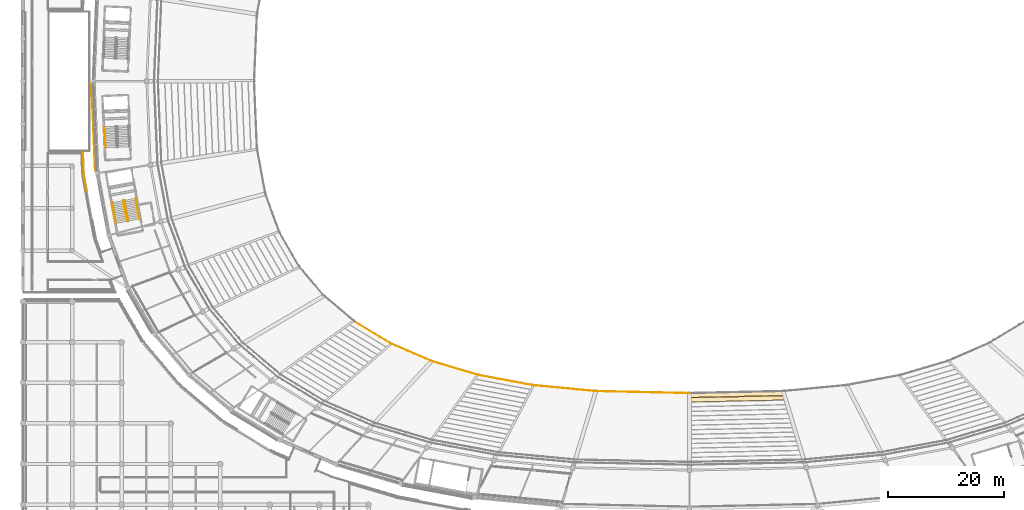
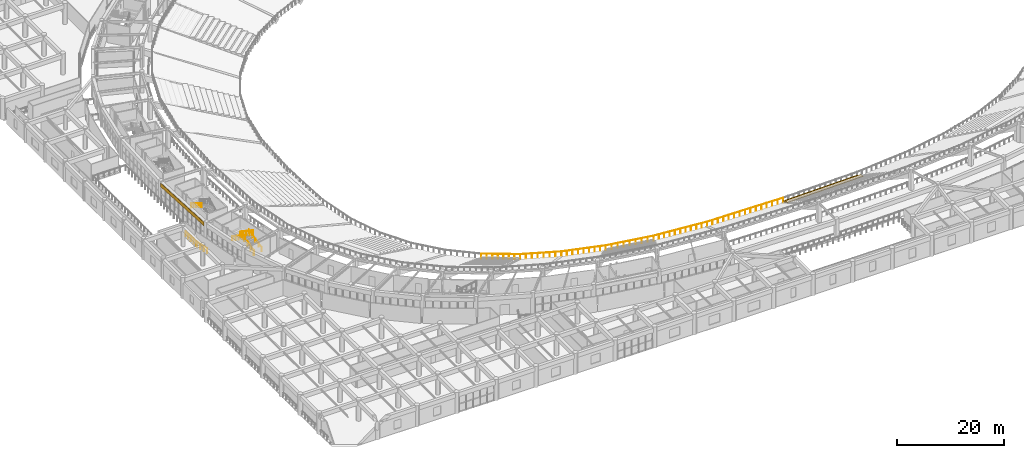
# One storey, part 117 of 137: 7 railings, 3 coverings.
"""IFC4 building model written with IfcOpenShell, lengths in metres."""

from ifc_helpers import new_model, si_unit, direction, frame, origin, origin_2d, place, context, subcontext, project, spatial, polyline, rectangle, circle, outline, extrude, material, layer, layer_set, type_object, element, save


model = new_model("IFC4")

# Units and contexts
model_context = context("Model", 3, precision=1e-05, world=origin(), true_north=direction((0.0, 1.0)))
body_context = subcontext(model_context, "Body", "Model", "MODEL_VIEW")
ifc_project = project(units=[si_unit("LENGTHUNIT", "METRE"), si_unit("AREAUNIT", "SQUARE_METRE"), si_unit("VOLUMEUNIT", "CUBIC_METRE"), si_unit("PLANEANGLEUNIT", "RADIAN"), si_unit("MASSUNIT", "GRAM", prefix="KILO")], contexts=[model_context])

# Site, building, storey
site_placement = place(None, origin())
site = spatial("IfcSite", under=ifc_project, at=site_placement, CompositionType="ELEMENT")
building_placement = place(site_placement, origin())
building = spatial("IfcBuilding", under=site, at=building_placement, Name="Mphavela Belvedere Stadium", CompositionType="ELEMENT")
storey_placement = place(building_placement, frame((0.0, 0.0, 19.199951171875)))
storey = spatial("IfcBuildingStorey", under=building, at=storey_placement, Name="L04", CompositionType="ELEMENT", Elevation=19.199951171875)

# Coverings
ifc_material_1 = material(Name="Carved classical limestone entablature frieze cladding", Category="masonry")
ifc_layer_1 = layer(ifc_material_1, 0.06005859375)
ifc_layer_set_1 = layer_set([ifc_layer_1], Name="Carved classical limestone entablature frieze cladding")
covering_type_1 = type_object("IfcCoveringType", Name="COV-FRIEZE-CLAD", PredefinedType="CLADDING", material=ifc_layer_set_1)
covering_1_placement = place(storey_placement, frame((12.192626953125, 79.064208984375, 3.594970703125), z_axis=(0.0, 0.0, 1.0), x_axis=(0.041875653729, -0.999122830099, 0.0)))
element("IfcCovering", 1, at=covering_1_placement, inside=storey, type_object=covering_type_1, Name="Classical entablature frieze cladding L04-25", PredefinedType="CLADDING", context=body_context, shape_type="SweptSolid", body=[
    extrude(rectangle(XDim=15.06298828125, YDim=0.06005859375, at=origin_2d()), origin(), (0.0, 0.0, 1.0), 0.85009765625),
])
ifc_material_2 = material(Name="Precast seating row terrazzo finish", Category="concrete")
ifc_layer_2 = layer(ifc_material_2, 0.1201171875)
ifc_layer_set_2 = layer_set([ifc_layer_2], Name="Precast seating row terrazzo finish")
covering_type_2 = type_object("IfcCoveringType", Name="COV-SEAT-ROW-U", PredefinedType="FLOORING", material=ifc_layer_set_2)
covering_2_placement = place(storey_placement, frame((0.0, 0.0, -3.4033203125)))
element("IfcCovering", 2, at=covering_2_placement, inside=storey, type_object=covering_type_2, Name="Upper stand seating row bench B37-R01", PredefinedType="FLOORING", context=body_context, shape_type="SweptSolid", body=[
    extrude(outline(polyline([(115.0, 33.20703125), (131.14794921875, 33.5546875), (131.36669921875, 32.83056640625), (115.0, 32.47802734375), (115.0, 33.20703125)])), origin(), (0.0, 0.0, 1.0), 0.1201171875),
])
covering_3_placement = place(storey_placement, frame((0.0, 0.0, -2.936767578125)))
element("IfcCovering", 3, at=covering_3_placement, inside=storey, type_object=covering_type_2, Name="Upper stand seating row bench B37-R02", PredefinedType="FLOORING", context=body_context, shape_type="SweptSolid", body=[
    extrude(outline(polyline([(115.0, 32.414794921875), (131.3857421875, 32.767578125), (131.6044921875, 32.043212890625), (115.0, 31.685791015625), (115.0, 32.414794921875)])), origin(), (0.0, 0.0, 1.0), 0.1201171875),
])

# Railings
ifc_material_3 = material(Name="Bronze and laminated glass stadium balustrade", Category="glass")
railing_type_1 = type_object("IfcRailingType", Name="RAL-BALUSTRADE-1120", PredefinedType="BALUSTRADE", material=ifc_material_3)
railing_1_placement = place(storey_placement, frame((57.201416015625, 45.587646484375, -3.75)))
element("IfcRailing", 4, at=railing_1_placement, inside=storey, type_object=railing_type_1, Name="Bowl safety balustrade t2_front S6", PredefinedType="BALUSTRADE", context=body_context, shape_type="SweptSolid", body=[
    extrude(circle(Radius=0.02392578125, at=origin_2d()), frame((0.0, 0.0, 1.09619140625), z_axis=(0.854327633962, -0.519734830321, 0.0), x_axis=(0.519734830321, 0.854327633962, 0.0)), (0.0, 0.0, 1.0), 7.230224609375),
    extrude(circle(Radius=0.02392578125, at=origin_2d()), frame((6.177001953125, -3.7578125, 1.09619140625), z_axis=(0.917506303716, -0.397721237353, 0.0), x_axis=(0.397721237353, 0.917506303716, 0.0)), (0.0, 0.0, 1.0), 7.766357421875),
    extrude(circle(Radius=0.02392578125, at=origin_2d()), frame((13.302734375, -6.8466796875, 1.09619140625), z_axis=(0.958654841276, -0.284571423896, 0.0), x_axis=(0.284571423896, 0.958654841276, 0.0)), (0.0, 0.0, 1.0), 8.482177734375),
    extrude(circle(Radius=0.02392578125, at=origin_2d()), frame((21.434326171875, -9.260498046875, 1.09619140625), z_axis=(0.983094824356, -0.18309714996, 0.0), x_axis=(0.18309714996, 0.983094824356, 0.0)), (0.0, 0.0, 1.0), 9.453857421875),
    extrude(circle(Radius=0.02392578125, at=origin_2d()), frame((30.728271484375, -10.991455078125, 1.09619140625), z_axis=(0.995484465186, -0.094924599412, 0.0), x_axis=(0.094924599412, 0.995484465186, 0.0)), (0.0, 0.0, 1.0), 10.971923828125),
    extrude(circle(Radius=0.02392578125, at=origin_2d()), frame((41.650634765625, -12.032958984375, 1.09619140625), z_axis=(0.999768322215, -0.021524448774, 0.0), x_axis=(0.021524448774, 0.999768322215, 0.0)), (0.0, 0.0, 1.0), 16.151611328125),
    extrude(circle(Radius=0.02099609375, at=origin_2d()), origin(), (0.0, 0.0, 1.0), 1.072021484375),
    extrude(circle(Radius=0.02099609375, at=origin_2d()), frame((0.88232421875, -0.536865234375, 0.0)), (0.0, 0.0, 1.0), 1.072021484375),
    extrude(circle(Radius=0.02099609375, at=origin_2d()), frame((1.764892578125, -1.07373046875, 0.0)), (0.0, 0.0, 1.0), 1.072021484375),
    extrude(circle(Radius=0.02099609375, at=origin_2d()), frame((2.647216796875, -1.610595703125, 0.0)), (0.0, 0.0, 1.0), 1.072021484375),
    extrude(circle(Radius=0.02099609375, at=origin_2d()), frame((3.52978515625, -2.147216796875, 0.0)), (0.0, 0.0, 1.0), 1.072021484375),
    extrude(circle(Radius=0.02099609375, at=origin_2d()), frame((4.412109375, -2.68408203125, 0.0)), (0.0, 0.0, 1.0), 1.072021484375),
    extrude(circle(Radius=0.02099609375, at=origin_2d()), frame((5.294677734375, -3.220947265625, 0.0)), (0.0, 0.0, 1.0), 1.072021484375),
    extrude(circle(Radius=0.02099609375, at=origin_2d()), frame((6.177001953125, -3.7578125, 0.0)), (0.0, 0.0, 1.0), 1.072021484375),
    extrude(circle(Radius=0.02099609375, at=origin_2d()), frame((7.195068359375, -4.198974609375, 0.0)), (0.0, 0.0, 1.0), 1.072021484375),
    extrude(circle(Radius=0.02099609375, at=origin_2d()), frame((8.212890625, -4.640380859375, 0.0)), (0.0, 0.0, 1.0), 1.072021484375),
    extrude(circle(Radius=0.02099609375, at=origin_2d()), frame((9.23095703125, -5.08154296875, 0.0)), (0.0, 0.0, 1.0), 1.072021484375),
    extrude(circle(Radius=0.02099609375, at=origin_2d()), frame((10.248779296875, -5.52294921875, 0.0)), (0.0, 0.0, 1.0), 1.072021484375),
    extrude(circle(Radius=0.02099609375, at=origin_2d()), frame((11.266845703125, -5.964111328125, 0.0)), (0.0, 0.0, 1.0), 1.072021484375),
    extrude(circle(Radius=0.02099609375, at=origin_2d()), frame((12.28466796875, -6.405517578125, 0.0)), (0.0, 0.0, 1.0), 1.072021484375),
    extrude(circle(Radius=0.02099609375, at=origin_2d()), frame((13.302734375, -6.8466796875, 0.0)), (0.0, 0.0, 1.0), 1.072021484375),
    extrude(circle(Radius=0.02099609375, at=origin_2d()), frame((14.319091796875, -7.1484375, 0.0)), (0.0, 0.0, 1.0), 1.072021484375),
    extrude(circle(Radius=0.02099609375, at=origin_2d()), frame((15.335693359375, -7.4501953125, 0.0)), (0.0, 0.0, 1.0), 1.072021484375),
    extrude(circle(Radius=0.02099609375, at=origin_2d()), frame((16.35205078125, -7.751953125, 0.0)), (0.0, 0.0, 1.0), 1.072021484375),
    extrude(circle(Radius=0.02099609375, at=origin_2d()), frame((17.36865234375, -8.0537109375, 0.0)), (0.0, 0.0, 1.0), 1.072021484375),
    extrude(circle(Radius=0.02099609375, at=origin_2d()), frame((18.385009765625, -8.355224609375, 0.0)), (0.0, 0.0, 1.0), 1.072021484375),
    extrude(circle(Radius=0.02099609375, at=origin_2d()), frame((19.4013671875, -8.656982421875, 0.0)), (0.0, 0.0, 1.0), 1.072021484375),
    extrude(circle(Radius=0.02099609375, at=origin_2d()), frame((20.41796875, -8.958740234375, 0.0)), (0.0, 0.0, 1.0), 1.072021484375),
    extrude(circle(Radius=0.02099609375, at=origin_2d()), frame((21.434326171875, -9.260498046875, 0.0)), (0.0, 0.0, 1.0), 1.072021484375),
    extrude(circle(Radius=0.02099609375, at=origin_2d()), frame((22.59619140625, -9.476806640625, 0.0)), (0.0, 0.0, 1.0), 1.072021484375),
    extrude(circle(Radius=0.02099609375, at=origin_2d()), frame((23.7578125, -9.693359375, 0.0)), (0.0, 0.0, 1.0), 1.072021484375),
    extrude(circle(Radius=0.02099609375, at=origin_2d()), frame((24.91943359375, -9.90966796875, 0.0)), (0.0, 0.0, 1.0), 1.072021484375),
    extrude(circle(Radius=0.02099609375, at=origin_2d()), frame((26.081298828125, -10.1259765625, 0.0)), (0.0, 0.0, 1.0), 1.072021484375),
    extrude(circle(Radius=0.02099609375, at=origin_2d()), frame((27.2431640625, -10.34228515625, 0.0)), (0.0, 0.0, 1.0), 1.072021484375),
    extrude(circle(Radius=0.02099609375, at=origin_2d()), frame((28.40478515625, -10.55859375, 0.0)), (0.0, 0.0, 1.0), 1.072021484375),
    extrude(circle(Radius=0.02099609375, at=origin_2d()), frame((29.56640625, -10.775146484375, 0.0)), (0.0, 0.0, 1.0), 1.072021484375),
    extrude(circle(Radius=0.02099609375, at=origin_2d()), frame((30.728271484375, -10.991455078125, 0.0)), (0.0, 0.0, 1.0), 1.072021484375),
    extrude(circle(Radius=0.02099609375, at=origin_2d()), frame((31.820556640625, -11.095703125, 0.0)), (0.0, 0.0, 1.0), 1.072021484375),
    extrude(circle(Radius=0.02099609375, at=origin_2d()), frame((32.912841796875, -11.19970703125, 0.0)), (0.0, 0.0, 1.0), 1.072021484375),
    extrude(circle(Radius=0.02099609375, at=origin_2d()), frame((34.0048828125, -11.303955078125, 0.0)), (0.0, 0.0, 1.0), 1.072021484375),
    extrude(circle(Radius=0.02099609375, at=origin_2d()), frame((35.09716796875, -11.407958984375, 0.0)), (0.0, 0.0, 1.0), 1.072021484375),
    extrude(circle(Radius=0.02099609375, at=origin_2d()), frame((36.189453125, -11.51220703125, 0.0)), (0.0, 0.0, 1.0), 1.072021484375),
    extrude(circle(Radius=0.02099609375, at=origin_2d()), frame((37.28173828125, -11.616455078125, 0.0)), (0.0, 0.0, 1.0), 1.072021484375),
    extrude(circle(Radius=0.02099609375, at=origin_2d()), frame((38.3740234375, -11.720458984375, 0.0)), (0.0, 0.0, 1.0), 1.072021484375),
    extrude(circle(Radius=0.02099609375, at=origin_2d()), frame((39.466064453125, -11.82470703125, 0.0)), (0.0, 0.0, 1.0), 1.072021484375),
    extrude(circle(Radius=0.02099609375, at=origin_2d()), frame((40.558349609375, -11.9287109375, 0.0)), (0.0, 0.0, 1.0), 1.072021484375),
    extrude(circle(Radius=0.02099609375, at=origin_2d()), frame((41.650634765625, -12.032958984375, 0.0)), (0.0, 0.0, 1.0), 1.072021484375),
    extrude(circle(Radius=0.02099609375, at=origin_2d()), frame((42.803955078125, -12.057861328125, 0.0)), (0.0, 0.0, 1.0), 1.072021484375),
    extrude(circle(Radius=0.02099609375, at=origin_2d()), frame((43.95751953125, -12.08251953125, 0.0)), (0.0, 0.0, 1.0), 1.072021484375),
    extrude(circle(Radius=0.02099609375, at=origin_2d()), frame((45.11083984375, -12.107421875, 0.0)), (0.0, 0.0, 1.0), 1.072021484375),
    extrude(circle(Radius=0.02099609375, at=origin_2d()), frame((46.264404296875, -12.13232421875, 0.0)), (0.0, 0.0, 1.0), 1.072021484375),
    extrude(circle(Radius=0.02099609375, at=origin_2d()), frame((47.417724609375, -12.1572265625, 0.0)), (0.0, 0.0, 1.0), 1.072021484375),
    extrude(circle(Radius=0.02099609375, at=origin_2d()), frame((48.5712890625, -12.181884765625, 0.0)), (0.0, 0.0, 1.0), 1.072021484375),
    extrude(circle(Radius=0.02099609375, at=origin_2d()), frame((49.724609375, -12.206787109375, 0.0)), (0.0, 0.0, 1.0), 1.072021484375),
    extrude(circle(Radius=0.02099609375, at=origin_2d()), frame((50.8779296875, -12.231689453125, 0.0)), (0.0, 0.0, 1.0), 1.072021484375),
    extrude(circle(Radius=0.02099609375, at=origin_2d()), frame((52.031494140625, -12.25634765625, 0.0)), (0.0, 0.0, 1.0), 1.072021484375),
    extrude(circle(Radius=0.02099609375, at=origin_2d()), frame((53.184814453125, -12.28125, 0.0)), (0.0, 0.0, 1.0), 1.072021484375),
    extrude(circle(Radius=0.02099609375, at=origin_2d()), frame((54.33837890625, -12.30615234375, 0.0)), (0.0, 0.0, 1.0), 1.072021484375),
    extrude(circle(Radius=0.02099609375, at=origin_2d()), frame((55.49169921875, -12.3310546875, 0.0)), (0.0, 0.0, 1.0), 1.072021484375),
    extrude(circle(Radius=0.02099609375, at=origin_2d()), frame((56.645263671875, -12.355712890625, 0.0)), (0.0, 0.0, 1.0), 1.072021484375),
    extrude(circle(Radius=0.02099609375, at=origin_2d()), frame((57.798583984375, -12.380615234375, 0.0)), (0.0, 0.0, 1.0), 1.072021484375),
])
railing_2_placement = place(storey_placement, frame((10.4130859375, 74.719970703125, 0.0)))
element("IfcRailing", 5, at=railing_2_placement, inside=storey, type_object=railing_type_1, Name="Peristyle wing gallery edge balustrade L04-56", PredefinedType="BALUSTRADE", context=body_context, shape_type="SweptSolid", body=[
    extrude(circle(Radius=0.02392578125, at=origin_2d()), frame((0.0, 0.0, 1.09619140625), z_axis=(0.041915584211, -0.999121155716, 0.0), x_axis=(0.999121155716, 0.041915584211, 0.0)), (0.0, 0.0, 1.0), 3.66943359375),
    extrude(circle(Radius=0.02392578125, at=origin_2d()), frame((0.15380859375, -3.666259765625, 1.09619140625), z_axis=(0.113134174083, -0.993579719325, 0.0), x_axis=(0.993579719325, 0.113134174083, 0.0)), (0.0, 0.0, 1.0), 0.317138671875),
    extrude(circle(Radius=0.02392578125, at=origin_2d()), frame((0.189697265625, -3.9814453125, 1.09619140625), z_axis=(0.182689544832, -0.983170651621, 0.0), x_axis=(0.983170651621, 0.182689544832, 0.0)), (0.0, 0.0, 1.0), 2.83984375),
    extrude(circle(Radius=0.02099609375, at=origin_2d()), origin(), (0.0, 0.0, 1.0), 1.072021484375),
    extrude(circle(Radius=0.02099609375, at=origin_2d()), frame((0.03857421875, -0.91650390625, 0.0)), (0.0, 0.0, 1.0), 1.072021484375),
    extrude(circle(Radius=0.02099609375, at=origin_2d()), frame((0.076904296875, -1.8330078125, 0.0)), (0.0, 0.0, 1.0), 1.072021484375),
    extrude(circle(Radius=0.02099609375, at=origin_2d()), frame((0.115234375, -2.749755859375, 0.0)), (0.0, 0.0, 1.0), 1.072021484375),
    extrude(circle(Radius=0.02099609375, at=origin_2d()), frame((0.15380859375, -3.666259765625, 0.0)), (0.0, 0.0, 1.0), 1.072021484375),
    extrude(circle(Radius=0.02099609375, at=origin_2d()), frame((0.189697265625, -3.9814453125, 0.0)), (0.0, 0.0, 1.0), 1.072021484375),
    extrude(circle(Radius=0.02099609375, at=origin_2d()), frame((0.362548828125, -4.912109375, 0.0)), (0.0, 0.0, 1.0), 1.072021484375),
    extrude(circle(Radius=0.02099609375, at=origin_2d()), frame((0.53564453125, -5.8427734375, 0.0)), (0.0, 0.0, 1.0), 1.072021484375),
    extrude(circle(Radius=0.02099609375, at=origin_2d()), frame((0.70849609375, -6.7734375, 0.0)), (0.0, 0.0, 1.0), 1.072021484375),
])
ifc_material_4 = material(Name="Painted galvanised steel stair guardrail", Category="steel")
railing_type_2 = type_object("IfcRailingType", Name="RAL-GUARD-1120", PredefinedType="GUARDRAIL", material=ifc_material_4)
railing_3_placement = place(storey_placement, frame((18.27001953125, 62.91162109375, 0.1845703125)))
element("IfcRailing", 6, at=railing_3_placement, inside=storey, type_object=railing_type_2, Name="L04 ST-C09 stair guard 1", PredefinedType="GUARDRAIL", context=body_context, shape_type="SweptSolid", body=[
    extrude(circle(Radius=0.02392578125, at=origin_2d()), frame((0.0, 0.0, 1.09619140625), z_axis=(-0.155822616955, 0.838832634396, 0.52161204311), x_axis=(-0.983180441881, -0.182636849249, 0.0)), (0.0, 0.0, 1.0), 4.24755859375),
    extrude(circle(Radius=0.02099609375, at=origin_2d()), origin(), (0.0, 0.0, 1.0), 1.072021484375),
    extrude(circle(Radius=0.02099609375, at=origin_2d()), frame((-0.16552734375, 0.890625, 0.553955078125)), (0.0, 0.0, 1.0), 1.072021484375),
    extrude(circle(Radius=0.02099609375, at=origin_2d()), frame((-0.3310546875, 1.781494140625, 1.10791015625)), (0.0, 0.0, 1.0), 1.072021484375),
    extrude(circle(Radius=0.02099609375, at=origin_2d()), frame((-0.496337890625, 2.67236328125, 1.66162109375)), (0.0, 0.0, 1.0), 1.072021484375),
    extrude(circle(Radius=0.02099609375, at=origin_2d()), frame((-0.661865234375, 3.56298828125, 2.215576171875)), (0.0, 0.0, 1.0), 1.072021484375),
])
railing_4_placement = place(storey_placement, frame((17.362548828125, 66.428955078125, 2.584716796875)))
element("IfcRailing", 7, at=railing_4_placement, inside=storey, type_object=railing_type_2, Name="L04 ST-C09 stair guard 3", PredefinedType="GUARDRAIL", context=body_context, shape_type="SweptSolid", body=[
    extrude(circle(Radius=0.02392578125, at=origin_2d()), frame((0.0, 0.0, 1.09619140625), z_axis=(0.155771203994, -0.838865295602, 0.521574872708), x_axis=(0.983192536952, 0.182571726404, 0.0)), (0.0, 0.0, 1.0), 4.247314453125),
    extrude(circle(Radius=0.02099609375, at=origin_2d()), origin(), (0.0, 0.0, 1.0), 1.072021484375),
    extrude(circle(Radius=0.02099609375, at=origin_2d()), frame((0.16552734375, -0.890625, 0.5537109375)), (0.0, 0.0, 1.0), 1.072021484375),
    extrude(circle(Radius=0.02099609375, at=origin_2d()), frame((0.330810546875, -1.781494140625, 1.107666015625)), (0.0, 0.0, 1.0), 1.072021484375),
    extrude(circle(Radius=0.02099609375, at=origin_2d()), frame((0.49609375, -2.67236328125, 1.66162109375)), (0.0, 0.0, 1.0), 1.072021484375),
    extrude(circle(Radius=0.02099609375, at=origin_2d()), frame((0.66162109375, -3.56298828125, 2.21533203125)), (0.0, 0.0, 1.0), 1.072021484375),
])
ifc_material_5 = material(Name="Brushed stainless steel tubular handrail", Category="steel")
railing_type_3 = type_object("IfcRailingType", Name="RAL-HANDRAIL-900", PredefinedType="HANDRAIL", material=ifc_material_5)
railing_5_placement = place(storey_placement, frame((14.147216796875, 79.17041015625, 2.584716796875)))
element("IfcRailing", 8, at=railing_5_placement, inside=storey, type_object=railing_type_3, Name="L04 ST-C08 stair handrail 2", PredefinedType="HANDRAIL", context=body_context, shape_type="SweptSolid", body=[
    extrude(circle(Radius=0.02392578125, at=origin_2d()), frame((0.0, 0.0, 0.8759765625), z_axis=(0.035694272407, -0.852466592692, 0.521561719513), x_axis=(0.99912452908, 0.041835097604, 0.0)), (0.0, 0.0, 1.0), 4.24755859375),
    extrude(circle(Radius=0.02099609375, at=origin_2d()), origin(), (0.0, 0.0, 1.0), 0.851806640625),
    extrude(circle(Radius=0.02099609375, at=origin_2d()), frame((0.037841796875, -0.9052734375, 0.5537109375)), (0.0, 0.0, 1.0), 0.851806640625),
    extrude(circle(Radius=0.02099609375, at=origin_2d()), frame((0.07568359375, -1.810546875, 1.107666015625)), (0.0, 0.0, 1.0), 0.851806640625),
    extrude(circle(Radius=0.02099609375, at=origin_2d()), frame((0.11376953125, -2.715576171875, 1.66162109375)), (0.0, 0.0, 1.0), 0.851806640625),
    extrude(circle(Radius=0.02099609375, at=origin_2d()), frame((0.151611328125, -3.620849609375, 2.21533203125)), (0.0, 0.0, 1.0), 0.851806640625),
])
railing_6_placement = place(storey_placement, frame((20.15771484375, 63.26220703125, 0.1845703125)))
element("IfcRailing", 9, at=railing_6_placement, inside=storey, type_object=railing_type_3, Name="L04 ST-C09 stair handrail 1", PredefinedType="HANDRAIL", context=body_context, shape_type="SweptSolid", body=[
    extrude(circle(Radius=0.02392578125, at=origin_2d()), frame((0.0, 0.0, 0.8759765625), z_axis=(-0.155822616955, 0.838832634396, 0.52161204311), x_axis=(-0.983180441881, -0.182636849249, 0.0)), (0.0, 0.0, 1.0), 4.24755859375),
    extrude(circle(Radius=0.02099609375, at=origin_2d()), origin(), (0.0, 0.0, 1.0), 0.851806640625),
    extrude(circle(Radius=0.02099609375, at=origin_2d()), frame((-0.16552734375, 0.890625, 0.553955078125)), (0.0, 0.0, 1.0), 0.851806640625),
    extrude(circle(Radius=0.02099609375, at=origin_2d()), frame((-0.3310546875, 1.781494140625, 1.10791015625)), (0.0, 0.0, 1.0), 0.851806640625),
    extrude(circle(Radius=0.02099609375, at=origin_2d()), frame((-0.496337890625, 2.67236328125, 1.66162109375)), (0.0, 0.0, 1.0), 0.851806640625),
    extrude(circle(Radius=0.02099609375, at=origin_2d()), frame((-0.661865234375, 3.56298828125, 2.215576171875)), (0.0, 0.0, 1.0), 0.851806640625),
])
railing_7_placement = place(storey_placement, frame((15.474609375, 66.078369140625, 2.584716796875)))
element("IfcRailing", 10, at=railing_7_placement, inside=storey, type_object=railing_type_3, Name="L04 ST-C09 stair handrail 2", PredefinedType="HANDRAIL", context=body_context, shape_type="SweptSolid", body=[
    extrude(circle(Radius=0.02392578125, at=origin_2d()), frame((0.0, 0.0, 0.8759765625), z_axis=(0.155827288653, -0.838857783326, 0.521570201857), x_axis=(0.983180441881, 0.182636849249, 0.0)), (0.0, 0.0, 1.0), 4.247314453125),
    extrude(circle(Radius=0.02099609375, at=origin_2d()), origin(), (0.0, 0.0, 1.0), 0.851806640625),
    extrude(circle(Radius=0.02099609375, at=origin_2d()), frame((0.16552734375, -0.890625, 0.5537109375)), (0.0, 0.0, 1.0), 0.851806640625),
    extrude(circle(Radius=0.02099609375, at=origin_2d()), frame((0.3310546875, -1.781494140625, 1.107666015625)), (0.0, 0.0, 1.0), 0.851806640625),
    extrude(circle(Radius=0.02099609375, at=origin_2d()), frame((0.496337890625, -2.67236328125, 1.66162109375)), (0.0, 0.0, 1.0), 0.851806640625),
    extrude(circle(Radius=0.02099609375, at=origin_2d()), frame((0.661865234375, -3.56298828125, 2.21533203125)), (0.0, 0.0, 1.0), 0.851806640625),
])

save(model, "model.ifc")
